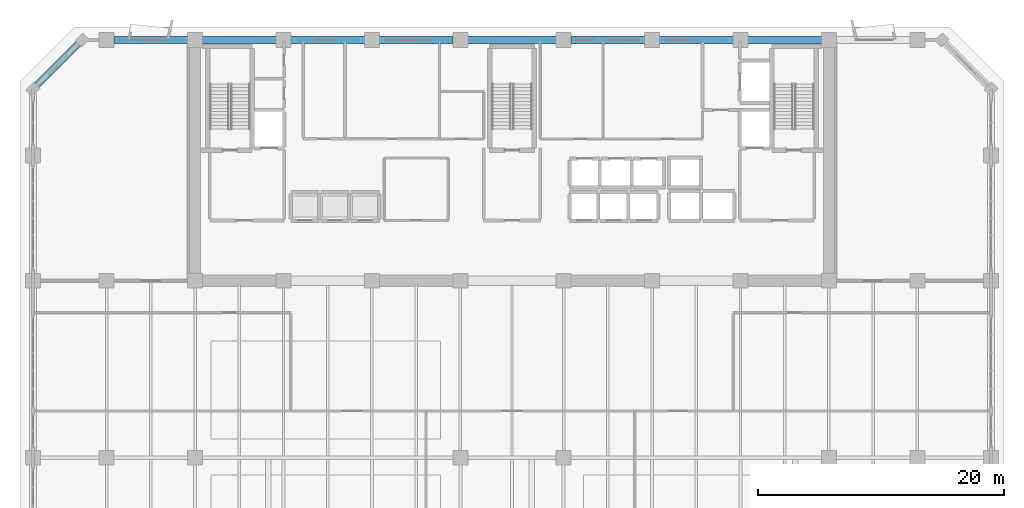
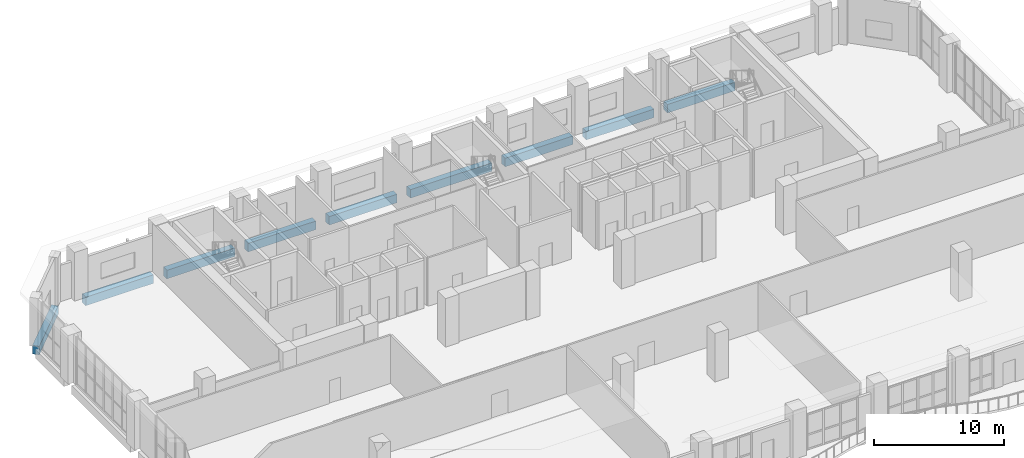
# One storey, part 17 of 37: 9 beams.
"""IFC4 building model written with IfcOpenShell, lengths in metres."""

from ifc_helpers import new_model, si_unit, direction, frame, origin, origin_2d, place, context, subcontext, project, spatial, rectangle, extrude, material, material_profile, profile_set, type_object, element, save


model = new_model("IFC4")

# Units and contexts
model_context = context("Model", 3, precision=1e-05, world=origin(), true_north=direction((0.0, 1.0)))
body_context = subcontext(model_context, "Body", "Model", "MODEL_VIEW")
ifc_project = project(units=[si_unit("LENGTHUNIT", "METRE"), si_unit("AREAUNIT", "SQUARE_METRE"), si_unit("VOLUMEUNIT", "CUBIC_METRE"), si_unit("PLANEANGLEUNIT", "RADIAN"), si_unit("MASSUNIT", "GRAM", prefix="KILO")], contexts=[model_context])

# Site, building, storey
site_placement = place(None, origin())
site = spatial("IfcSite", under=ifc_project, at=site_placement, CompositionType="ELEMENT")
building_placement = place(site_placement, origin())
building = spatial("IfcBuilding", under=site, at=building_placement, Name="Kaelvorn Grand Hotel", CompositionType="ELEMENT")
storey_placement = place(building_placement, frame((0.0, 0.0, 224.35009765625)))
storey = spatial("IfcBuildingStorey", under=building, at=storey_placement, Name="L55", CompositionType="ELEMENT", Elevation=224.35009765625)

# Beams
ifc_material = material(Name="Concrete C50/60", Category="concrete")
ifc_material_profile = material_profile(ifc_material, rectangle(XDim=0.550048828125, YDim=0.800048828125, at=origin_2d()), Name="RC SPANDREL 550x800")
ifc_profile_set = profile_set([ifc_material_profile], Name="Concrete C50/60")
beam_type = type_object("IfcBeamType", Name="BM-SP-550x800-C50", PredefinedType="SPANDREL", material=ifc_profile_set)
for number, where, z_axis, x_axis, name in (
    (1, (9.5849609375, 49.0, -0.64013671875), (1.0, 0.0, 0.0), (0.0, 1.0, 0.0), "L55 North Perimeter Spandrel 02"),
    (2, (16.784912109375, 49.0, -0.64013671875), (1.0, 0.0, 0.0), (0.0, 1.0, 0.0), "L55 North Perimeter Spandrel 03"),
):
    element("IfcBeam", number, at=place(storey_placement, frame(where, z_axis=z_axis, x_axis=x_axis)), inside=storey, type_object=beam_type, Name=name, PredefinedType="SPANDREL", context=body_context, shape_type="SweptSolid", body=[
        extrude(rectangle(XDim=0.550048828125, YDim=0.800048828125, at=origin_2d()), origin(), (0.0, 0.0, 1.0), 6.030029296875),
    ])
beam_1_placement = place(storey_placement, frame((23.985107421875, 49.0, -0.64013671875), z_axis=(1.0, 0.0, 0.0), x_axis=(0.0, 1.0, 0.0)))
element("IfcBeam", 3, at=beam_1_placement, inside=storey, type_object=beam_type, Name="L55 North Perimeter Spandrel 04", PredefinedType="SPANDREL", context=body_context, shape_type="SweptSolid", body=[
    extrude(rectangle(XDim=0.550048828125, YDim=0.800048828125, at=origin_2d()), origin(), (0.0, 0.0, 1.0), 6.02978515625),
])
beam_2_placement = place(storey_placement, frame((31.18505859375, 49.0, -0.64013671875), z_axis=(1.0, 0.0, 0.0), x_axis=(0.0, 1.0, 0.0)))
element("IfcBeam", 4, at=beam_2_placement, inside=storey, type_object=beam_type, Name="L55 North Perimeter Spandrel 05", PredefinedType="SPANDREL", context=body_context, shape_type="SweptSolid", body=[
    extrude(rectangle(XDim=0.550048828125, YDim=0.800048828125, at=origin_2d()), origin(), (0.0, 0.0, 1.0), 6.030029296875),
])
beam_3_placement = place(storey_placement, frame((38.385009765625, 49.0, -0.64013671875), z_axis=(1.0, 0.0, 0.0), x_axis=(0.0, 1.0, 0.0)))
element("IfcBeam", 5, at=beam_3_placement, inside=storey, type_object=beam_type, Name="L55 North Perimeter Spandrel 06", PredefinedType="SPANDREL", context=body_context, shape_type="SweptSolid", body=[
    extrude(rectangle(XDim=0.550048828125, YDim=0.800048828125, at=origin_2d()), origin(), (0.0, 0.0, 1.0), 7.22998046875),
])
beam_4_placement = place(storey_placement, frame((46.784912109375, 49.0, -0.64013671875), z_axis=(1.0, 0.0, 0.0), x_axis=(0.0, 1.0, 0.0)))
element("IfcBeam", 6, at=beam_4_placement, inside=storey, type_object=beam_type, Name="L55 North Perimeter Spandrel 07", PredefinedType="SPANDREL", context=body_context, shape_type="SweptSolid", body=[
    extrude(rectangle(XDim=0.550048828125, YDim=0.800048828125, at=origin_2d()), origin(), (0.0, 0.0, 1.0), 6.030029296875),
])
beam_5_placement = place(storey_placement, frame((53.985107421875, 49.0, -0.64013671875), z_axis=(1.0, 0.0, 0.0), x_axis=(0.0, 1.0, 0.0)))
element("IfcBeam", 7, at=beam_5_placement, inside=storey, type_object=beam_type, Name="L55 North Perimeter Spandrel 08", PredefinedType="SPANDREL", context=body_context, shape_type="SweptSolid", body=[
    extrude(rectangle(XDim=0.550048828125, YDim=0.800048828125, at=origin_2d()), origin(), (0.0, 0.0, 1.0), 6.02978515625),
])
beam_6_placement = place(storey_placement, frame((61.18505859375, 49.0, -0.64013671875), z_axis=(1.0, 0.0, 0.0), x_axis=(0.0, 1.0, 0.0)))
element("IfcBeam", 8, at=beam_6_placement, inside=storey, type_object=beam_type, Name="L55 North Perimeter Spandrel 09", PredefinedType="SPANDREL", context=body_context, shape_type="SweptSolid", body=[
    extrude(rectangle(XDim=0.550048828125, YDim=0.800048828125, at=origin_2d()), origin(), (0.0, 0.0, 1.0), 6.030029296875),
])
beam_7_placement = place(storey_placement, frame((7.0, 49.0, -0.64013671875), z_axis=(-0.707106781187, -0.707106781187, 0.0), x_axis=(0.707106781187, -0.707106781187, 0.0)))
element("IfcBeam", 9, at=beam_7_placement, inside=storey, type_object=beam_type, Name="L55 Chamfer Spandrel Beam 3", PredefinedType="SPANDREL", context=body_context, shape_type="SweptSolid", body=[
    extrude(rectangle(XDim=0.550048828125, YDim=0.800048828125, at=origin_2d()), origin(), (0.0, 0.0, 1.0), 5.65673828125),
])

save(model, "model.ifc")
